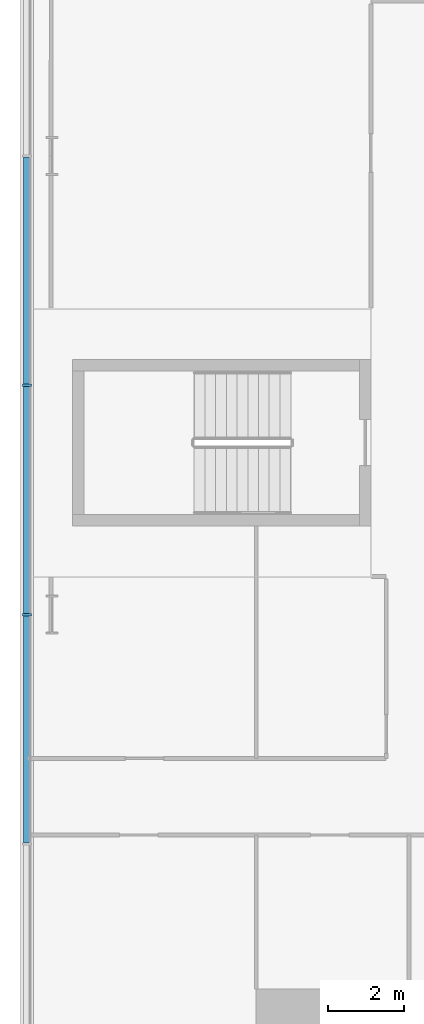
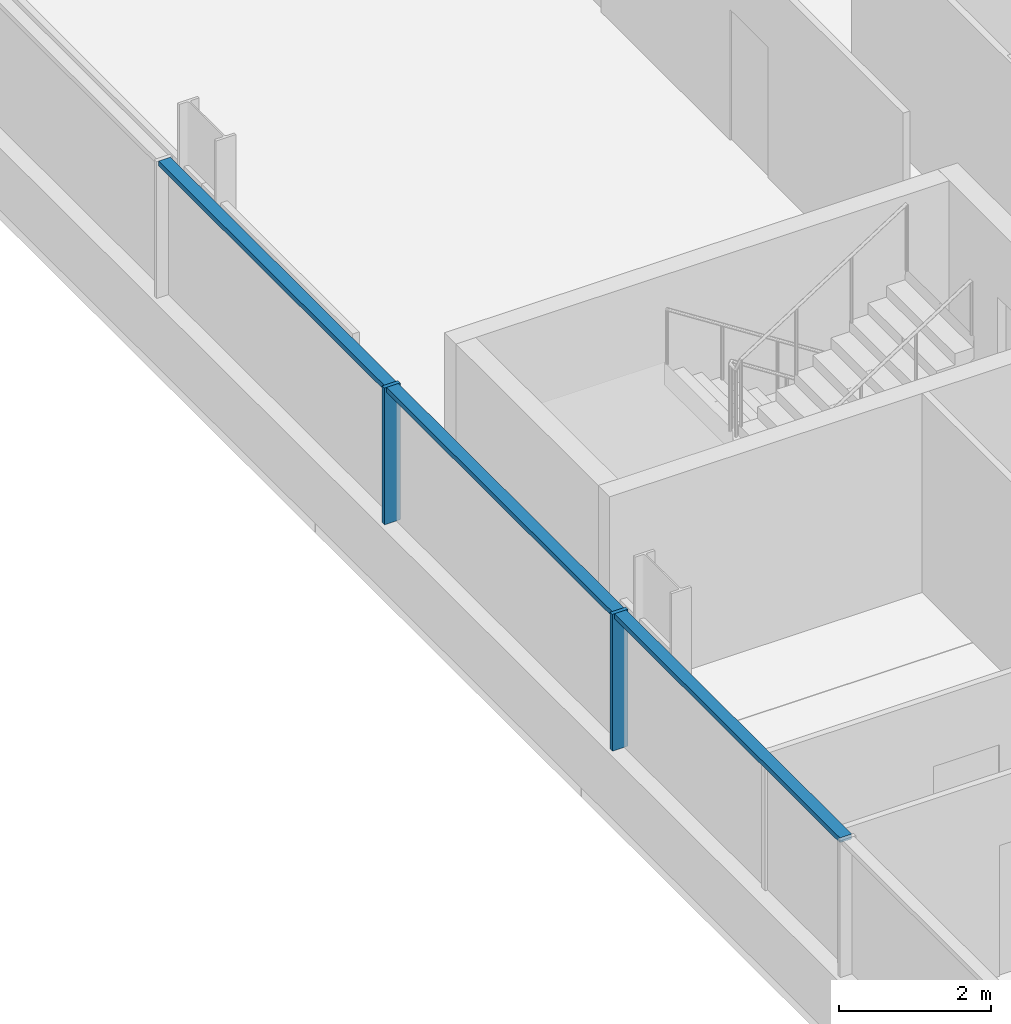
# One storey, part 5 of 24: 5 members, 1 element without a shape of its own.
"""IFC4 building model written with IfcOpenShell, lengths in metres."""

from ifc_helpers import new_model, si_unit, direction, frame, origin, origin_2d, place, context, subcontext, project, spatial, rectangle, extrude, material, material_profile, profile_set, type_object, element, aggregate, save


model = new_model("IFC4")

# Units and contexts
model_context = context("Model", 3, precision=1e-05, world=origin(), true_north=direction((0.0, 1.0)))
body_context = subcontext(model_context, "Body", "Model", "MODEL_VIEW")
ifc_project = project(units=[si_unit("LENGTHUNIT", "METRE"), si_unit("AREAUNIT", "SQUARE_METRE"), si_unit("VOLUMEUNIT", "CUBIC_METRE"), si_unit("PLANEANGLEUNIT", "RADIAN"), si_unit("MASSUNIT", "GRAM", prefix="KILO")], contexts=[model_context])

# Site, building, storey
site_placement = place(None, origin())
site = spatial("IfcSite", under=ifc_project, at=site_placement, CompositionType="ELEMENT")
building_placement = place(site_placement, origin())
building = spatial("IfcBuilding", under=site, at=building_placement, Name="Wharfspan Tower", CompositionType="ELEMENT")
storey_placement = place(building_placement, frame((0.0, 0.0, 41.5)))
storey = spatial("IfcBuildingStorey", under=building, at=storey_placement, Name="L06", CompositionType="ELEMENT", Elevation=41.5)

# Curtain wall, members
ifc_material = material(Name="Aluminium 6063-T6", Category="aluminium")
curtain_wall_type = type_object("IfcCurtainWallType", Name="CURTAIN WALL PROW AND END", PredefinedType="NOTDEFINED", material=ifc_material)
curtain_wall_placement = place(storey_placement, origin())
curtain_wall = element("IfcCurtainWall", 1, at=curtain_wall_placement, inside=storey, type_object=curtain_wall_type, Name="Curtain wall W", PredefinedType="NOTDEFINED")
ifc_material_profile_1 = material_profile(ifc_material, rectangle(XDim=0.23999, YDim=0.060059, at=origin_2d()))
ifc_profile_set_1 = profile_set([ifc_material_profile_1], Name="Aluminium 6063-T6")
member_type_1 = type_object("IfcMemberType", Name="MULLION PROW AND END 60x240", PredefinedType="MULLION", material=ifc_profile_set_1)
member_1_placement = place(storey_placement, frame((0.0, 24.0, 1.0), z_axis=(0.0, 0.0, 1.0), x_axis=(1.0, 0.0, 0.0)))
member_1 = element("IfcMember", 2, at=member_1_placement, type_object=member_type_1, Name="Curtain wall W mullion 4", PredefinedType="MULLION", context=body_context, shape_type="SweptSolid", body=[
    extrude(rectangle(XDim=0.23999, YDim=0.060059, at=origin_2d()), origin(), (0.0, 0.0, 1.0), 2.199951),
])
member_2_placement = place(storey_placement, frame((0.0, 18.0, 1.0), z_axis=(0.0, 0.0, 1.0), x_axis=(1.0, 0.0, 0.0)))
member_2 = element("IfcMember", 3, at=member_2_placement, type_object=member_type_1, Name="Curtain wall W mullion 5", PredefinedType="MULLION", context=body_context, shape_type="SweptSolid", body=[
    extrude(rectangle(XDim=0.23999, YDim=0.060059, at=origin_2d()), origin(), (0.0, 0.0, 1.0), 2.199951),
])
ifc_material_profile_2 = material_profile(ifc_material, rectangle(XDim=0.179932, YDim=0.080078, at=origin_2d()))
ifc_profile_set_2 = profile_set([ifc_material_profile_2], Name="Aluminium 6063-T6")
member_type_2 = type_object("IfcMemberType", Name="TRANSOM PROW AND END 80x180", PredefinedType="USERDEFINED", material=ifc_profile_set_2)
member_3_placement = place(storey_placement, frame((0.0, 29.969971, 3.159912), z_axis=(0.0, -1.0, 0.0), x_axis=(1.0, 0.0, 0.0)))
member_3 = element("IfcMember", 4, at=member_3_placement, type_object=member_type_2, Name="Curtain wall W transom 3", ObjectType="TRANSOM", PredefinedType="USERDEFINED", context=body_context, shape_type="SweptSolid", body=[
    extrude(rectangle(XDim=0.179932, YDim=0.080078, at=origin_2d()), origin(), (0.0, 0.0, 1.0), 5.939941),
])
member_4_placement = place(storey_placement, frame((0.0, 23.969971, 3.159912), z_axis=(0.0, -1.0, 0.0), x_axis=(1.0, 0.0, 0.0)))
member_4 = element("IfcMember", 5, at=member_4_placement, type_object=member_type_2, Name="Curtain wall W transom 4", ObjectType="TRANSOM", PredefinedType="USERDEFINED", context=body_context, shape_type="SweptSolid", body=[
    extrude(rectangle(XDim=0.179932, YDim=0.080078, at=origin_2d()), origin(), (0.0, 0.0, 1.0), 5.939941),
])
member_5_placement = place(storey_placement, frame((0.0, 17.969971, 3.159912), z_axis=(0.0, -1.0, 0.0), x_axis=(1.0, 0.0, 0.0)))
member_5 = element("IfcMember", 6, at=member_5_placement, type_object=member_type_2, Name="Curtain wall W transom 5", ObjectType="TRANSOM", PredefinedType="USERDEFINED", context=body_context, shape_type="SweptSolid", body=[
    extrude(rectangle(XDim=0.179932, YDim=0.080078, at=origin_2d()), origin(), (0.0, 0.0, 1.0), 5.939941),
])
aggregate(curtain_wall, [member_1, member_2, member_3, member_4, member_5])

save(model, "model.ifc")
